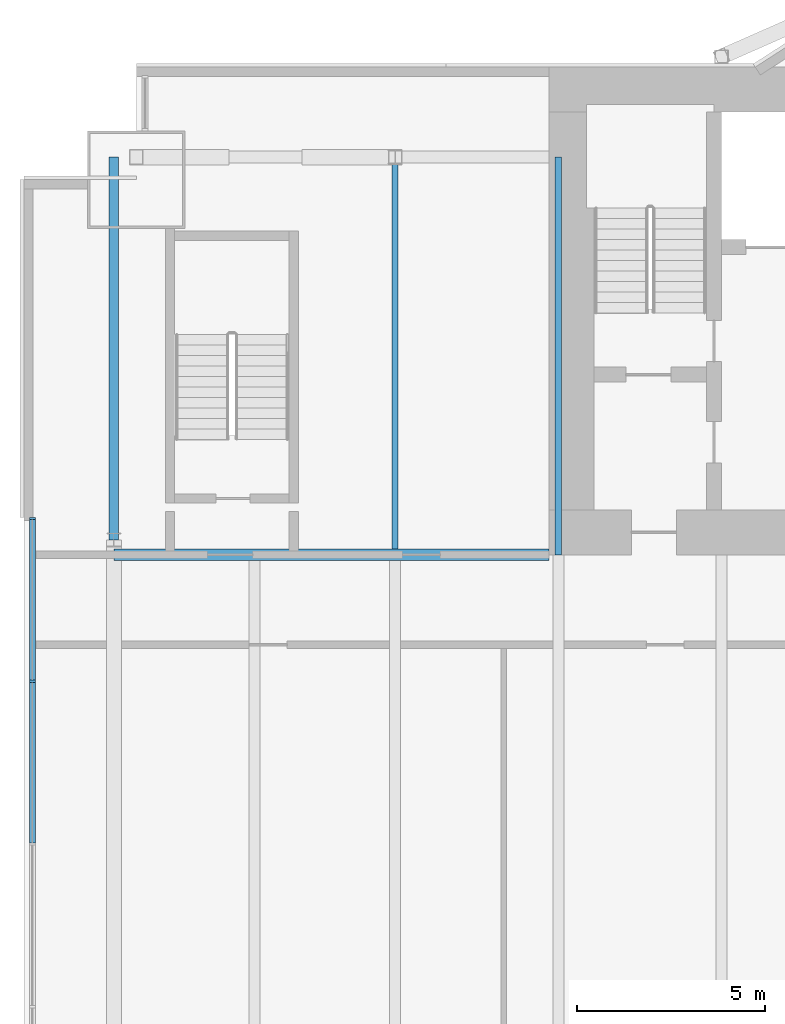
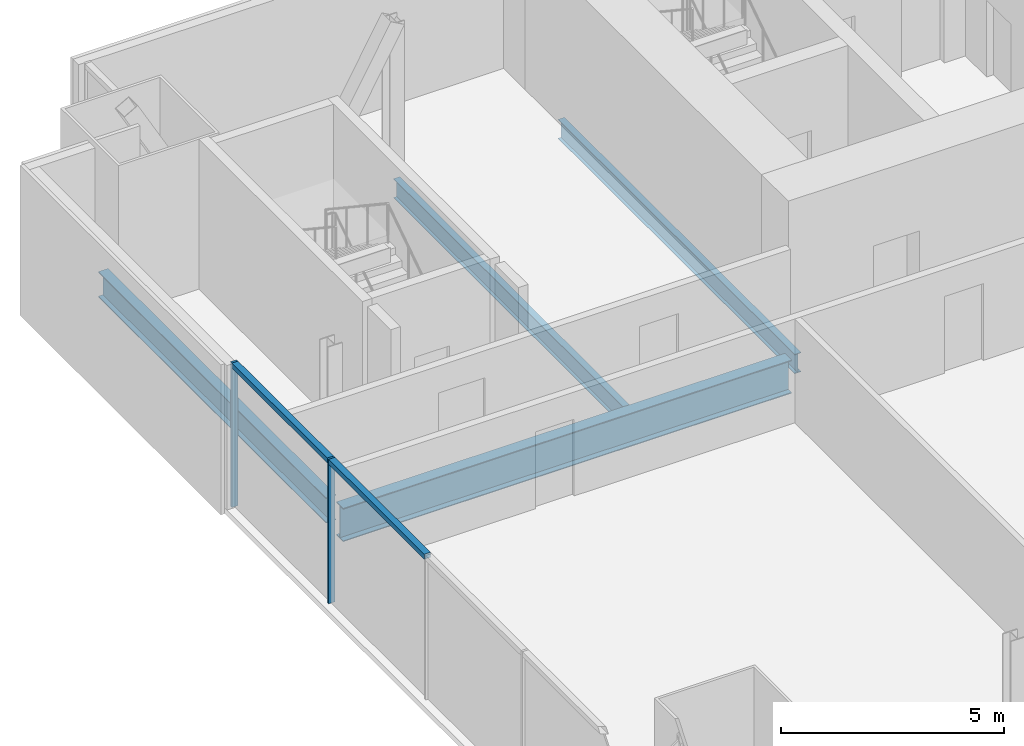
# One storey, part 7 of 20: 4 beams, 4 members, 1 element without a shape of its own.
"""IFC4 building model written with IfcOpenShell, lengths in metres."""

from ifc_helpers import new_model, si_unit, direction, frame, origin, origin_2d, place, context, subcontext, project, spatial, rectangle, i_section, extrude, material, material_profile, profile_set, type_object, element, aggregate, save


model = new_model("IFC4")

# Units and contexts
model_context = context("Model", 3, precision=1e-05, world=origin(), true_north=direction((0.0, 1.0)))
body_context = subcontext(model_context, "Body", "Model", "MODEL_VIEW")
ifc_project = project(units=[si_unit("LENGTHUNIT", "METRE"), si_unit("AREAUNIT", "SQUARE_METRE"), si_unit("VOLUMEUNIT", "CUBIC_METRE"), si_unit("PLANEANGLEUNIT", "RADIAN"), si_unit("MASSUNIT", "GRAM", prefix="KILO")], contexts=[model_context])

# Site, building, storey
site_placement = place(None, origin())
site = spatial("IfcSite", under=ifc_project, at=site_placement, CompositionType="ELEMENT")
building_placement = place(site_placement, origin())
building = spatial("IfcBuilding", under=site, at=building_placement, Name="Bicima Exchange Tower", CompositionType="ELEMENT")
storey_placement = place(building_placement, frame((0.0, 0.0, 199.10009765625)))
storey = spatial("IfcBuildingStorey", under=building, at=storey_placement, Name="L44", CompositionType="ELEMENT", Elevation=199.10009765625)

# Beam
ifc_material_1 = material(Name="Steel ASTM A992 Gr 50", Category="steel")
ifc_material_profile_1 = material_profile(ifc_material_1, i_section(OverallWidth=0.3046875, OverallDepth=0.911865234375, WebThickness=0.015869140625, FlangeThickness=0.02392578125, at=origin_2d()))
ifc_profile_set_1 = profile_set([ifc_material_profile_1], Name="Steel ASTM A992 Gr 50")
beam_type_1 = type_object("IfcBeamType", Name="Core-line girder W36x150", PredefinedType="BEAM", material=ifc_profile_set_1)
beam_1_placement = place(storey_placement, frame((-22.0, -13.0, -0.60595703125), z_axis=(-1.0, 0.0, 0.0), x_axis=(0.0, -1.0, 0.0)))
element("IfcBeam", 1, at=beam_1_placement, inside=storey, type_object=beam_type_1, Name="Core-line girder", PredefinedType="BEAM", context=body_context, shape_type="SweptSolid", body=[
    extrude(i_section(OverallWidth=0.3046875, OverallDepth=0.911865234375, WebThickness=0.015869140625, FlangeThickness=0.02392578125, at=origin_2d()), origin(), (0.0, 0.0, 1.0), 11.60009765625),
])

# Curtain wall, members
ifc_material_2 = material(Name="Anodised bronze aluminium", Category="aluminium")
curtain_wall_type = type_object("IfcCurtainWallType", Name="End face glass wall", PredefinedType="NOTDEFINED", material=ifc_material_2)
curtain_wall_placement = place(storey_placement, origin())
curtain_wall = element("IfcCurtainWall", 2, at=curtain_wall_placement, inside=storey, type_object=curtain_wall_type, Name="End face glass wall L44 run 2", PredefinedType="NOTDEFINED")
ifc_material_profile_2 = material_profile(ifc_material_2, rectangle(XDim=0.159912109375, YDim=0.06005859375, at=origin_2d()))
ifc_profile_set_2 = profile_set([ifc_material_profile_2], Name="Anodised bronze aluminium")
member_type_1 = type_object("IfcMemberType", Name="End face glass wall mullion 60 x 160", PredefinedType="MULLION", material=ifc_profile_set_2)
member_1_placement = place(storey_placement, frame((-35.77001953125, -12.030029296875, 0.0), z_axis=(0.0, 0.0, 1.0), x_axis=(1.0, 0.0, 0.0)))
member_1 = element("IfcMember", 3, at=member_1_placement, type_object=member_type_1, Name="End face glass wall mullion 1", PredefinedType="MULLION", context=body_context, shape_type="SweptSolid", body=[
    extrude(rectangle(XDim=0.159912109375, YDim=0.06005859375, at=origin_2d()), origin(), (0.0, 0.0, 1.0), 3.949951171875),
])
member_2_placement = place(storey_placement, frame((-35.77001953125, -16.369384765625, 0.0), z_axis=(0.0, 0.0, 1.0), x_axis=(1.0, 0.0, 0.0)))
member_2 = element("IfcMember", 4, at=member_2_placement, type_object=member_type_1, Name="End face glass wall mullion 2", PredefinedType="MULLION", context=body_context, shape_type="SweptSolid", body=[
    extrude(rectangle(XDim=0.159912109375, YDim=0.06005859375, at=origin_2d()), origin(), (0.0, 0.0, 1.0), 3.949951171875),
])
ifc_material_profile_3 = material_profile(ifc_material_2, rectangle(XDim=0.159912109375, YDim=0.139892578125, at=origin_2d()))
ifc_profile_set_3 = profile_set([ifc_material_profile_3], Name="Anodised bronze aluminium")
member_type_2 = type_object("IfcMemberType", Name="End face glass wall transom 140 x 160", PredefinedType="USERDEFINED", material=ifc_profile_set_3)
member_3_placement = place(storey_placement, frame((-35.77001953125, -12.06005859375, 3.8798828125), z_axis=(0.0, -1.0, 0.0), x_axis=(1.0, 0.0, 0.0)))
member_3 = element("IfcMember", 5, at=member_3_placement, type_object=member_type_2, Name="End face glass wall transom 1.1", ObjectType="TRANSOM", PredefinedType="USERDEFINED", context=body_context, shape_type="SweptSolid", body=[
    extrude(rectangle(XDim=0.159912109375, YDim=0.139892578125, at=origin_2d()), origin(), (0.0, 0.0, 1.0), 4.279541015625),
])
member_4_placement = place(storey_placement, frame((-35.77001953125, -16.3994140625, 3.8798828125), z_axis=(0.0, -1.0, 0.0), x_axis=(1.0, 0.0, 0.0)))
member_4 = element("IfcMember", 6, at=member_4_placement, type_object=member_type_2, Name="End face glass wall transom 2.1", ObjectType="TRANSOM", PredefinedType="USERDEFINED", context=body_context, shape_type="SweptSolid", body=[
    extrude(rectangle(XDim=0.159912109375, YDim=0.139892578125, at=origin_2d()), origin(), (0.0, 0.0, 1.0), 4.279541015625),
])
aggregate(curtain_wall, [member_1, member_2, member_3, member_4])

# Beams
ifc_material_profile_4 = material_profile(ifc_material_1, i_section(OverallWidth=0.256591796875, OverallDepth=0.693359375, WebThickness=0.014404296875, FlangeThickness=0.023681640625, at=origin_2d()))
ifc_profile_set_4 = profile_set([ifc_material_profile_4], Name="Steel ASTM A992 Gr 50")
beam_type_2 = type_object("IfcBeamType", Name="End girder W27x114", PredefinedType="BEAM", material=ifc_profile_set_4)
beam_2_placement = place(storey_placement, frame((-33.60009765625, -2.39990234375, -0.496826171875), z_axis=(0.0, -1.0, 0.0), x_axis=(1.0, 0.0, 0.0)))
element("IfcBeam", 7, at=beam_2_placement, inside=storey, type_object=beam_type_2, Name="End girder", PredefinedType="BEAM", context=body_context, shape_type="SweptSolid", body=[
    extrude(i_section(OverallWidth=0.256591796875, OverallDepth=0.693359375, WebThickness=0.014404296875, FlangeThickness=0.023681640625, at=origin_2d()), origin(), (0.0, 0.0, 1.0), 10.2001953125),
])
ifc_material_profile_5 = material_profile(ifc_material_1, i_section(OverallWidth=0.165771484375, OverallDepth=0.5283203125, WebThickness=0.009765625, FlangeThickness=0.013671875, at=origin_2d()))
ifc_profile_set_5 = profile_set([ifc_material_profile_5], Name="Steel ASTM A992 Gr 50")
beam_type_3 = type_object("IfcBeamType", Name="Floor beam W21x50", PredefinedType="JOIST", material=ifc_profile_set_5)
beam_3_placement = place(storey_placement, frame((-26.10009765625, -2.5625, -0.414306640625), z_axis=(0.0, -1.0, 0.0), x_axis=(1.0, 0.0, 0.0)))
element("IfcBeam", 8, at=beam_3_placement, inside=storey, type_object=beam_type_3, Name="Floor beam", PredefinedType="JOIST", context=body_context, shape_type="SweptSolid", body=[
    extrude(i_section(OverallWidth=0.165771484375, OverallDepth=0.5283203125, WebThickness=0.009765625, FlangeThickness=0.013671875, at=origin_2d()), origin(), (0.0, 0.0, 1.0), 10.28515625),
])
beam_4_placement = place(storey_placement, frame((-21.75, -2.39990234375, -0.414306640625), z_axis=(0.0, -1.0, 0.0), x_axis=(1.0, 0.0, 0.0)))
element("IfcBeam", 9, at=beam_4_placement, inside=storey, type_object=beam_type_3, Name="Floor beam", PredefinedType="JOIST", context=body_context, shape_type="SweptSolid", body=[
    extrude(i_section(OverallWidth=0.165771484375, OverallDepth=0.5283203125, WebThickness=0.009765625, FlangeThickness=0.013671875, at=origin_2d()), origin(), (0.0, 0.0, 1.0), 10.60009765625),
])

save(model, "model.ifc")
